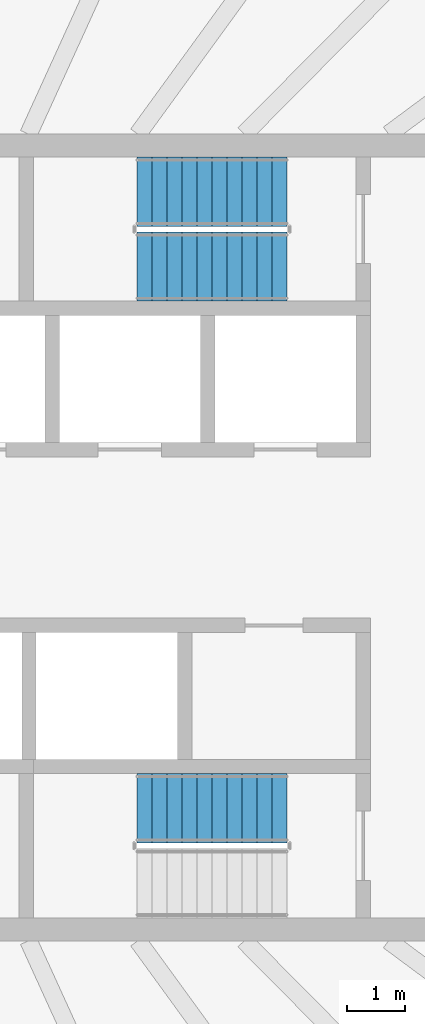
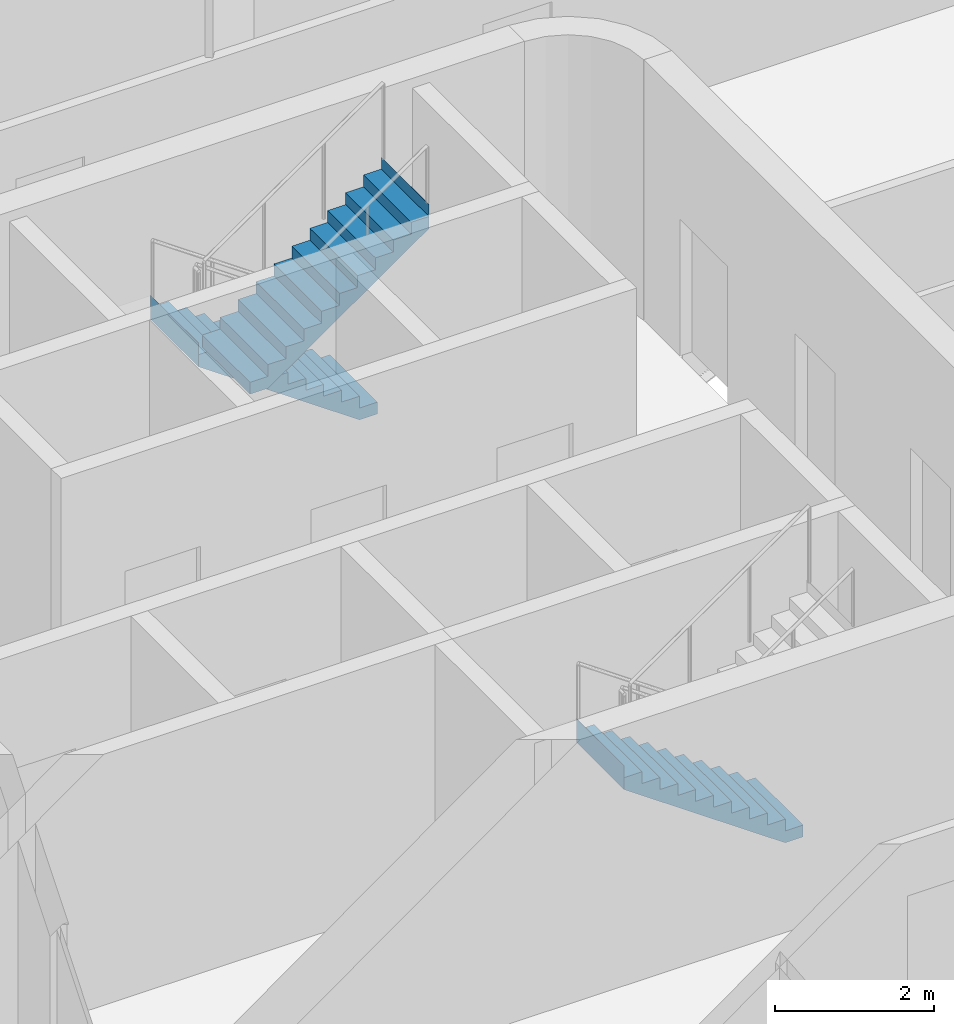
# One storey, part 17 of 22: 3 stair flights, 2 elements without a shape of their own.
"""IFC4 building model written with IfcOpenShell, lengths in metres."""

import ifcopenshell
import ifcopenshell.guid

model = None  # the IFC model being written
_history = None  # IfcOwnerHistory: only IFC2X3 demands one
_inside = {}  # id of a spatial element -> (the spatial element, [elements in it])
_under = {}  # id of a project, library or spatial element -> (it, [spatial elements below it])
_declared = {}  # id of a project -> (the project, [libraries it declares])
_typed = {}  # id of a type object -> (the type object, [elements of that type])
_made_of = {}  # id of a material, layer set ... -> (it, [elements and type objects made of it])


def new_model(schema):
    """Start an empty IFC model of exactly this schema.

    Asked for "IFC4X3", IfcOpenShell would pick the latest addendum, in which some entities
    have other attributes; the version numbers below select the first issue.
    IFC2X3 requires an IfcOwnerHistory on every rooted entity: one is made here for all.
    """
    global model, _history
    if schema == "IFC4X3":
        model = ifcopenshell.file(schema_version=(4, 3, 0, 0))
    else:
        model = ifcopenshell.file(schema=schema)
    _inside.clear()
    _under.clear()
    _declared.clear()
    _typed.clear()
    _made_of.clear()
    _history = None
    if model.schema == "IFC2X3":
        org = make("IfcOrganization", Name="unknown")
        user = make(
            "IfcPersonAndOrganization",
            ThePerson=make("IfcPerson", FamilyName="unknown"),
            TheOrganization=org,
        )
        app = make(
            "IfcApplication",
            ApplicationDeveloper=org,
            Version="unknown",
            ApplicationFullName="unknown",
            ApplicationIdentifier="unknown",
        )
        _history = make(
            "IfcOwnerHistory",
            OwningUser=user,
            OwningApplication=app,
            ChangeAction="ADDED",
            CreationDate=0,
        )
    return model


def make(cls, **values):
    """One entity of the class cls with the attributes given. An attribute that is None is left unset."""
    return model.create_entity(
        cls, **{name: value for name, value in values.items() if value is not None}
    )


def rooted(cls, **values):
    """An entity with a GlobalId (a new one), such as an element, a storey or a relation."""
    return make(cls, GlobalId=ifcopenshell.guid.new(), OwnerHistory=_history, **values)


def si_unit(unit_type, name, prefix=None):
    """IfcSIUnit, for example si_unit("LENGTHUNIT", "METRE", prefix="MILLI")."""
    return make("IfcSIUnit", UnitType=unit_type, Prefix=prefix, Name=name)


def assignment(units):
    """IfcUnitAssignment: the units of a project."""
    return None if units is None else make("IfcUnitAssignment", Units=units)


def point(xyz):
    """IfcCartesianPoint."""
    return None if xyz is None else make("IfcCartesianPoint", Coordinates=xyz)


def direction(xyz):
    """IfcDirection."""
    return None if xyz is None else make("IfcDirection", DirectionRatios=xyz)


def frame(location, z_axis=None, x_axis=None):
    """IfcAxis2Placement3D, a coordinate frame: its origin and axes. An axis left out is left unset."""
    return make(
        "IfcAxis2Placement3D",
        Location=point(location),
        Axis=direction(z_axis),
        RefDirection=direction(x_axis),
    )


def origin():
    """The frame at (0, 0, 0) with its axes left unset."""
    return frame((0.0, 0.0, 0.0))


def place(relative_to, where):
    """IfcLocalPlacement: puts the frame where relative to a parent placement (None: the world)."""
    return make(
        "IfcLocalPlacement", PlacementRelTo=relative_to, RelativePlacement=where
    )


def context(
    kind, dimensions, precision=None, world=None, true_north=None, identifier=None
):
    """IfcGeometricRepresentationContext, for example the 3D "Model" context."""
    return make(
        "IfcGeometricRepresentationContext",
        ContextIdentifier=identifier,
        ContextType=kind,
        CoordinateSpaceDimension=dimensions,
        Precision=precision,
        WorldCoordinateSystem=world,
        TrueNorth=true_north,
    )


def subcontext(parent, identifier, kind, view, scale=None):
    """IfcGeometricRepresentationSubContext, for example "Body" below "Model"."""
    return make(
        "IfcGeometricRepresentationSubContext",
        ContextIdentifier=identifier,
        ContextType=kind,
        ParentContext=parent,
        TargetScale=scale,
        TargetView=view,
    )


def project(units=None, contexts=None):
    """IfcProject with its units and contexts."""
    return rooted(
        "IfcProject",
        Name="project",
        RepresentationContexts=contexts,
        UnitsInContext=assignment(units),
    )


def spatial(cls, under=None, at=None, **own):
    """A site, building, storey or space (cls), placed at a placement, below another one or the project."""
    s = rooted(cls, ObjectPlacement=at, **own)
    if under is not None:
        _under.setdefault(under.id(), (under, []))[1].append(s)
    return s


def point_list(points):
    """IfcCartesianPointList2D or 3D."""
    cls = (
        "IfcCartesianPointList2D" if len(points[0]) == 2 else "IfcCartesianPointList3D"
    )
    return make(cls, CoordList=points)


def triangles(points, corners, closed=None, point_numbers=None):
    """IfcTriangulatedFaceSet: each triangle names its three corners, points numbered from 1."""
    return make(
        "IfcTriangulatedFaceSet",
        Coordinates=point_list(points),
        Closed=closed,
        CoordIndex=corners,
        PnIndex=point_numbers,
    )


def shape(context_of_items, identifier, shape_type, items):
    """IfcShapeRepresentation: the items that make up one representation, for example the "Body"."""
    return make(
        "IfcShapeRepresentation",
        ContextOfItems=context_of_items,
        RepresentationIdentifier=identifier,
        RepresentationType=shape_type,
        Items=items,
    )


def material(Name=None, Category=None):
    """IfcMaterial."""
    return make("IfcMaterial", Name=Name, Category=Category)


def made_of(thing, what):
    """Note that an element or type object is made of a material, layer set ...; save() writes the relation."""
    if what is not None:
        _made_of.setdefault(what.id(), (what, []))[1].append(thing)
    return thing


def type_object(cls, material=None, **own):
    """A type object (cls), such as IfcWallType, which elements share."""
    return made_of(rooted(cls, **own), material)


def element(
    cls,
    number,
    at=None,
    inside=None,
    cuts=None,
    type_object=None,
    material=None,
    context=None,
    identifier="Body",
    shape_type=None,
    held_by="IfcProductDefinitionShape",
    body=None,
    shapes=None,
    **own,
):
    """One element of the class cls, such as IfcWall. Its Tag is "e" and its number.

    at: its placement. inside: the storey or other place that contains it. cuts: it is an
    opening in that element (IfcRelVoidsElement). A single representation is given by context,
    identifier, shape_type and body (its items); several are given by shapes. held_by: the class
    of the entity that holds the representations. save() writes the other relations.
    """
    e = rooted(cls, Tag="e%d" % number, ObjectPlacement=at, **own)
    if body is not None:
        shapes = [shape(context, identifier, shape_type, body)]
    if shapes is not None:
        e.Representation = make(held_by, Representations=shapes)
    if inside is not None:
        _inside.setdefault(inside.id(), (inside, []))[1].append(e)
    if cuts is not None:
        rooted(
            "IfcRelVoidsElement", RelatingBuildingElement=cuts, RelatedOpeningElement=e
        )
    if type_object is not None:
        _typed.setdefault(type_object.id(), (type_object, []))[1].append(e)
    return made_of(e, material)


def aggregate(whole, parts):
    """IfcRelAggregates: a whole, such as a stair, and the parts it consists of."""
    return rooted("IfcRelAggregates", RelatingObject=whole, RelatedObjects=parts)


def save(model, path):
    """Write the relations noted so far, then the file.

    IfcRelAggregates (storeys below a building ...), IfcRelContainedInSpatialStructure (elements
    in a storey), IfcRelDefinesByType, IfcRelAssociatesMaterial and IfcRelDeclares: one each for
    every whole, place, type object, material and project.
    """
    for whole, parts in _under.values():
        aggregate(whole, parts)
    for where, things in _inside.values():
        rooted(
            "IfcRelContainedInSpatialStructure",
            RelatedElements=things,
            RelatingStructure=where,
        )
    for kind, things in _typed.values():
        rooted("IfcRelDefinesByType", RelatedObjects=things, RelatingType=kind)
    for what, things in _made_of.values():
        rooted("IfcRelAssociatesMaterial", RelatedObjects=things, RelatingMaterial=what)
    for by, libraries in _declared.values():
        rooted("IfcRelDeclares", RelatingContext=by, RelatedDefinitions=libraries)
    model.write(path)


model = new_model("IFC4")

# Units and contexts
model_context = context("Model", 3, precision=1e-05, world=origin(), true_north=direction((0.0, 1.0)))
body_context = subcontext(model_context, "Body", "Model", "MODEL_VIEW")
ifc_project = project(units=[si_unit("LENGTHUNIT", "METRE"), si_unit("AREAUNIT", "SQUARE_METRE"), si_unit("VOLUMEUNIT", "CUBIC_METRE"), si_unit("PLANEANGLEUNIT", "RADIAN"), si_unit("MASSUNIT", "GRAM", prefix="KILO")], contexts=[model_context])

# Site, building, storey
site_placement = place(None, origin())
site = spatial("IfcSite", under=ifc_project, at=site_placement, CompositionType="ELEMENT")
building_placement = place(site_placement, origin())
building = spatial("IfcBuilding", under=site, at=building_placement, Name="Sahrelin Media Tower", CompositionType="ELEMENT")
storey_placement = place(building_placement, frame((0.0, 0.0, 233.60009765625)))
storey = spatial("IfcBuildingStorey", under=building, at=storey_placement, Name="L50", CompositionType="ELEMENT", Elevation=233.60009765625)

# Stair, stair flights
ifc_material = material(Name="Concrete C40/50", Category="concrete")
stair_type = type_object("IfcStairType", Name="Exit stair 1200", PredefinedType="HALF_TURN_STAIR", material=ifc_material)
placement = place(storey_placement, origin())
stair_1 = element("IfcStair", 1, at=placement, inside=storey, type_object=stair_type, Name="L50 Exit stair ST3", PredefinedType="HALF_TURN_STAIR")
stair_flight_type = type_object("IfcStairFlightType", Name="Stair flight 1200", PredefinedType="STRAIGHT", material=ifc_material)
stair_flight_1_placement = place(storey_placement, frame((7.675048828125, 6.0, 0.0), z_axis=(0.0, 0.0, 1.0), x_axis=(-1.0, 0.0, 0.0)))
stair_flight_1 = element("IfcStairFlight", 2, at=stair_flight_1_placement, type_object=stair_flight_type, Name="ST3 flight 1", NumberOfRisers=11, NumberOfTreads=10, PredefinedType="STRAIGHT", RiserHeight=0.181818182, TreadLength=0.26, context=body_context, shape_type="Tessellation", body=[
    triangles([(0.261474609375, 0.60009765625, 0.0), (0.261474609375, 0.300048828125, 0.0), (0.261474609375, 0.0, 0.0), (0.261474609375, -0.300048828125, 0.0), (0.261474609375, -0.60009765625, 0.0), (2.60009765625, 0.60009765625, 1.63525390625), (2.60009765625, 0.300048828125, 1.63525390625), (2.60009765625, 0.0, 1.63525390625), (2.60009765625, -0.300048828125, 1.63525390625), (2.60009765625, -0.60009765625, 1.63525390625), (2.60009765625, 0.60009765625, 2.0), (2.60009765625, 0.300048828125, 2.0), (2.60009765625, 0.0, 2.0), (2.60009765625, -0.300048828125, 2.0), (2.60009765625, -0.60009765625, 2.0), (2.597900390625, 0.60009765625, 2.0), (2.597900390625, 0.300048828125, 2.0), (2.597900390625, 0.0, 2.0), (2.597900390625, -0.300048828125, 2.0), (2.597900390625, -0.60009765625, 2.0), (2.597900390625, 0.60009765625, 1.818115234375), (2.597900390625, 0.300048828125, 1.818115234375), (2.597900390625, 0.0, 1.818115234375), (2.597900390625, -0.300048828125, 1.818115234375), (2.597900390625, -0.60009765625, 1.818115234375), (2.340087890625, 0.60009765625, 1.818115234375), (2.340087890625, 0.300048828125, 1.818115234375), (2.340087890625, 0.0, 1.818115234375), (2.340087890625, -0.300048828125, 1.818115234375), (2.340087890625, -0.60009765625, 1.818115234375), (2.340087890625, 0.60009765625, 1.636474609375), (2.340087890625, 0.300048828125, 1.636474609375), (2.340087890625, 0.0, 1.636474609375), (2.340087890625, -0.300048828125, 1.636474609375), (2.340087890625, -0.60009765625, 1.636474609375), (2.080078125, 0.60009765625, 1.636474609375), (2.080078125, 0.300048828125, 1.636474609375), (2.080078125, 0.0, 1.636474609375), (2.080078125, -0.300048828125, 1.636474609375), (2.080078125, -0.60009765625, 1.636474609375), (2.080078125, 0.60009765625, 1.45458984375), (2.080078125, 0.300048828125, 1.45458984375), (2.080078125, 0.0, 1.45458984375), (2.080078125, -0.300048828125, 1.45458984375), (2.080078125, -0.60009765625, 1.45458984375), (1.820068359375, 0.60009765625, 1.45458984375), (1.820068359375, 0.300048828125, 1.45458984375), (1.820068359375, 0.0, 1.45458984375), (1.820068359375, -0.300048828125, 1.45458984375), (1.820068359375, -0.60009765625, 1.45458984375), (1.820068359375, 0.60009765625, 1.272705078125), (1.820068359375, 0.300048828125, 1.272705078125), (1.820068359375, 0.0, 1.272705078125), (1.820068359375, -0.300048828125, 1.272705078125), (1.820068359375, -0.60009765625, 1.272705078125), (1.56005859375, 0.60009765625, 1.272705078125), (1.56005859375, 0.300048828125, 1.272705078125), (1.56005859375, 0.0, 1.272705078125), (1.56005859375, -0.300048828125, 1.272705078125), (1.56005859375, -0.60009765625, 1.272705078125), (1.56005859375, 0.60009765625, 1.0908203125), (1.56005859375, 0.300048828125, 1.0908203125), (1.56005859375, 0.0, 1.0908203125), (1.56005859375, -0.300048828125, 1.0908203125), (1.56005859375, -0.60009765625, 1.0908203125), (1.300048828125, 0.60009765625, 1.0908203125), (1.300048828125, 0.300048828125, 1.0908203125), (1.300048828125, 0.0, 1.0908203125), (1.300048828125, -0.300048828125, 1.0908203125), (1.300048828125, -0.60009765625, 1.0908203125), (1.300048828125, 0.60009765625, 0.9091796875), (1.300048828125, 0.300048828125, 0.9091796875), (1.300048828125, 0.0, 0.9091796875), (1.300048828125, -0.300048828125, 0.9091796875), (1.300048828125, -0.60009765625, 0.9091796875), (1.0400390625, 0.60009765625, 0.9091796875), (1.0400390625, 0.300048828125, 0.9091796875), (1.0400390625, 0.0, 0.9091796875), (1.0400390625, -0.300048828125, 0.9091796875), (1.0400390625, -0.60009765625, 0.9091796875), (1.0400390625, 0.60009765625, 0.727294921875), (1.0400390625, 0.300048828125, 0.727294921875), (1.0400390625, 0.0, 0.727294921875), (1.0400390625, -0.300048828125, 0.727294921875), (1.0400390625, -0.60009765625, 0.727294921875), (0.780029296875, 0.60009765625, 0.727294921875), (0.780029296875, 0.300048828125, 0.727294921875), (0.780029296875, 0.0, 0.727294921875), (0.780029296875, -0.300048828125, 0.727294921875), (0.780029296875, -0.60009765625, 0.727294921875), (0.780029296875, 0.60009765625, 0.54541015625), (0.780029296875, 0.300048828125, 0.54541015625), (0.780029296875, 0.0, 0.54541015625), (0.780029296875, -0.300048828125, 0.54541015625), (0.780029296875, -0.60009765625, 0.54541015625), (0.52001953125, 0.60009765625, 0.54541015625), (0.52001953125, 0.300048828125, 0.54541015625), (0.52001953125, 0.0, 0.54541015625), (0.52001953125, -0.300048828125, 0.54541015625), (0.52001953125, -0.60009765625, 0.54541015625), (0.52001953125, 0.60009765625, 0.363525390625), (0.52001953125, 0.300048828125, 0.363525390625), (0.52001953125, 0.0, 0.363525390625), (0.52001953125, -0.300048828125, 0.363525390625), (0.52001953125, -0.60009765625, 0.363525390625), (0.260009765625, 0.60009765625, 0.363525390625), (0.260009765625, 0.300048828125, 0.363525390625), (0.260009765625, 0.0, 0.363525390625), (0.260009765625, -0.300048828125, 0.363525390625), (0.260009765625, -0.60009765625, 0.363525390625), (0.260009765625, 0.60009765625, 0.181884765625), (0.260009765625, 0.300048828125, 0.181884765625), (0.260009765625, 0.0, 0.181884765625), (0.260009765625, -0.300048828125, 0.181884765625), (0.260009765625, -0.60009765625, 0.181884765625), (0.0, 0.60009765625, 0.181884765625), (0.0, 0.300048828125, 0.181884765625), (0.0, 0.0, 0.181884765625), (0.0, -0.300048828125, 0.181884765625), (0.0, -0.60009765625, 0.181884765625), (0.0, 0.60009765625, 0.0), (0.0, 0.300048828125, 0.0), (0.0, 0.0, 0.0), (0.0, -0.300048828125, 0.0), (0.0, -0.60009765625, 0.0)], [[1, 6, 7], [1, 7, 2], [2, 7, 8], [2, 8, 3], [3, 8, 9], [3, 9, 4], [4, 9, 10], [4, 10, 5], [6, 11, 12], [6, 12, 7], [7, 12, 13], [7, 13, 8], [8, 13, 14], [8, 14, 9], [9, 14, 15], [9, 15, 10], [11, 16, 17], [11, 17, 12], [12, 17, 18], [12, 18, 13], [13, 18, 19], [13, 19, 14], [14, 19, 20], [14, 20, 15], [16, 21, 22], [16, 22, 17], [17, 22, 23], [17, 23, 18], [18, 23, 24], [18, 24, 19], [19, 24, 25], [19, 25, 20], [21, 26, 27], [21, 27, 22], [22, 27, 28], [22, 28, 23], [23, 28, 29], [23, 29, 24], [24, 29, 30], [24, 30, 25], [26, 31, 32], [26, 32, 27], [27, 32, 33], [27, 33, 28], [28, 33, 34], [28, 34, 29], [29, 34, 35], [29, 35, 30], [31, 36, 37], [31, 37, 32], [32, 37, 38], [32, 38, 33], [33, 38, 39], [33, 39, 34], [34, 39, 40], [34, 40, 35], [36, 41, 42], [36, 42, 37], [37, 42, 43], [37, 43, 38], [38, 43, 44], [38, 44, 39], [39, 44, 45], [39, 45, 40], [41, 46, 47], [41, 47, 42], [42, 47, 48], [42, 48, 43], [43, 48, 49], [43, 49, 44], [44, 49, 50], [44, 50, 45], [46, 51, 52], [46, 52, 47], [47, 52, 53], [47, 53, 48], [48, 53, 54], [48, 54, 49], [49, 54, 55], [49, 55, 50], [51, 56, 57], [51, 57, 52], [52, 57, 58], [52, 58, 53], [53, 58, 59], [53, 59, 54], [54, 59, 60], [54, 60, 55], [56, 61, 62], [56, 62, 57], [57, 62, 63], [57, 63, 58], [58, 63, 64], [58, 64, 59], [59, 64, 65], [59, 65, 60], [61, 66, 67], [61, 67, 62], [62, 67, 68], [62, 68, 63], [63, 68, 69], [63, 69, 64], [64, 69, 70], [64, 70, 65], [66, 71, 72], [66, 72, 67], [67, 72, 73], [67, 73, 68], [68, 73, 74], [68, 74, 69], [69, 74, 75], [69, 75, 70], [71, 76, 77], [71, 77, 72], [72, 77, 78], [72, 78, 73], [73, 78, 79], [73, 79, 74], [74, 79, 80], [74, 80, 75], [76, 81, 82], [76, 82, 77], [77, 82, 83], [77, 83, 78], [78, 83, 84], [78, 84, 79], [79, 84, 85], [79, 85, 80], [81, 86, 87], [81, 87, 82], [82, 87, 88], [82, 88, 83], [83, 88, 89], [83, 89, 84], [84, 89, 90], [84, 90, 85], [86, 91, 92], [86, 92, 87], [87, 92, 93], [87, 93, 88], [88, 93, 94], [88, 94, 89], [89, 94, 95], [89, 95, 90], [91, 96, 97], [91, 97, 92], [92, 97, 98], [92, 98, 93], [93, 98, 99], [93, 99, 94], [94, 99, 100], [94, 100, 95], [96, 101, 102], [96, 102, 97], [97, 102, 103], [97, 103, 98], [98, 103, 104], [98, 104, 99], [99, 104, 105], [99, 105, 100], [101, 106, 107], [101, 107, 102], [102, 107, 108], [102, 108, 103], [103, 108, 109], [103, 109, 104], [104, 109, 110], [104, 110, 105], [106, 111, 112], [106, 112, 107], [107, 112, 113], [107, 113, 108], [108, 113, 114], [108, 114, 109], [109, 114, 115], [109, 115, 110], [111, 116, 117], [111, 117, 112], [112, 117, 118], [112, 118, 113], [113, 118, 119], [113, 119, 114], [114, 119, 120], [114, 120, 115], [116, 121, 122], [116, 122, 117], [117, 122, 123], [117, 123, 118], [118, 123, 124], [118, 124, 119], [119, 124, 125], [119, 125, 120], [121, 1, 2], [121, 2, 122], [122, 2, 3], [122, 3, 123], [123, 3, 4], [123, 4, 124], [124, 4, 5], [124, 5, 125], [115, 120, 125], [111, 121, 116], [115, 105, 110], [111, 106, 101], [105, 95, 100], [101, 96, 91], [95, 85, 90], [91, 86, 81], [85, 75, 80], [81, 76, 71], [75, 65, 70], [71, 66, 61], [65, 55, 60], [61, 56, 51], [55, 45, 50], [51, 46, 41], [45, 35, 40], [41, 36, 31], [35, 25, 30], [31, 26, 21], [25, 15, 20], [21, 16, 11], [125, 5, 115], [121, 111, 1], [25, 10, 15], [21, 11, 6], [105, 115, 5], [101, 1, 111], [35, 10, 25], [31, 21, 6], [95, 105, 5], [91, 1, 101], [45, 10, 35], [41, 31, 6], [85, 95, 5], [81, 1, 91], [55, 10, 45], [51, 41, 6], [75, 85, 5], [71, 1, 81], [65, 10, 55], [61, 51, 6], [5, 10, 75], [1, 71, 6], [75, 10, 65], [71, 61, 6]], closed=True),
])
stair_flight_2_placement = place(storey_placement, frame((5.074951171875, 4.699951171875, 2.0), z_axis=(0.0, 0.0, 1.0), x_axis=(1.0, 0.0, 0.0)))
stair_flight_2 = element("IfcStairFlight", 3, at=stair_flight_2_placement, type_object=stair_flight_type, Name="ST3 flight 2", NumberOfRisers=11, NumberOfTreads=10, PredefinedType="STRAIGHT", RiserHeight=0.181818182, TreadLength=0.26, context=body_context, shape_type="Tessellation", body=[
    triangles([(0.261474609375, 0.60009765625, 0.0), (0.261474609375, 0.300048828125, 0.0), (0.261474609375, 0.0, 0.0), (0.261474609375, -0.300048828125, 0.0), (0.261474609375, -0.60009765625, 0.0), (2.60009765625, 0.60009765625, 1.63525390625), (2.60009765625, 0.300048828125, 1.63525390625), (2.60009765625, 0.0, 1.63525390625), (2.60009765625, -0.300048828125, 1.63525390625), (2.60009765625, -0.60009765625, 1.63525390625), (2.60009765625, 0.60009765625, 2.0), (2.60009765625, 0.300048828125, 2.0), (2.60009765625, 0.0, 2.0), (2.60009765625, -0.300048828125, 2.0), (2.60009765625, -0.60009765625, 2.0), (2.597900390625, 0.60009765625, 2.0), (2.597900390625, 0.300048828125, 2.0), (2.597900390625, 0.0, 2.0), (2.597900390625, -0.300048828125, 2.0), (2.597900390625, -0.60009765625, 2.0), (2.597900390625, 0.60009765625, 1.818115234375), (2.597900390625, 0.300048828125, 1.818115234375), (2.597900390625, 0.0, 1.818115234375), (2.597900390625, -0.300048828125, 1.818115234375), (2.597900390625, -0.60009765625, 1.818115234375), (2.340087890625, 0.60009765625, 1.818115234375), (2.340087890625, 0.300048828125, 1.818115234375), (2.340087890625, 0.0, 1.818115234375), (2.340087890625, -0.300048828125, 1.818115234375), (2.340087890625, -0.60009765625, 1.818115234375), (2.340087890625, 0.60009765625, 1.636474609375), (2.340087890625, 0.300048828125, 1.636474609375), (2.340087890625, 0.0, 1.636474609375), (2.340087890625, -0.300048828125, 1.636474609375), (2.340087890625, -0.60009765625, 1.636474609375), (2.080078125, 0.60009765625, 1.636474609375), (2.080078125, 0.300048828125, 1.636474609375), (2.080078125, 0.0, 1.636474609375), (2.080078125, -0.300048828125, 1.636474609375), (2.080078125, -0.60009765625, 1.636474609375), (2.080078125, 0.60009765625, 1.45458984375), (2.080078125, 0.300048828125, 1.45458984375), (2.080078125, 0.0, 1.45458984375), (2.080078125, -0.300048828125, 1.45458984375), (2.080078125, -0.60009765625, 1.45458984375), (1.820068359375, 0.60009765625, 1.45458984375), (1.820068359375, 0.300048828125, 1.45458984375), (1.820068359375, 0.0, 1.45458984375), (1.820068359375, -0.300048828125, 1.45458984375), (1.820068359375, -0.60009765625, 1.45458984375), (1.820068359375, 0.60009765625, 1.272705078125), (1.820068359375, 0.300048828125, 1.272705078125), (1.820068359375, 0.0, 1.272705078125), (1.820068359375, -0.300048828125, 1.272705078125), (1.820068359375, -0.60009765625, 1.272705078125), (1.56005859375, 0.60009765625, 1.272705078125), (1.56005859375, 0.300048828125, 1.272705078125), (1.56005859375, 0.0, 1.272705078125), (1.56005859375, -0.300048828125, 1.272705078125), (1.56005859375, -0.60009765625, 1.272705078125), (1.56005859375, 0.60009765625, 1.0908203125), (1.56005859375, 0.300048828125, 1.0908203125), (1.56005859375, 0.0, 1.0908203125), (1.56005859375, -0.300048828125, 1.0908203125), (1.56005859375, -0.60009765625, 1.0908203125), (1.300048828125, 0.60009765625, 1.0908203125), (1.300048828125, 0.300048828125, 1.0908203125), (1.300048828125, 0.0, 1.0908203125), (1.300048828125, -0.300048828125, 1.0908203125), (1.300048828125, -0.60009765625, 1.0908203125), (1.300048828125, 0.60009765625, 0.9091796875), (1.300048828125, 0.300048828125, 0.9091796875), (1.300048828125, 0.0, 0.9091796875), (1.300048828125, -0.300048828125, 0.9091796875), (1.300048828125, -0.60009765625, 0.9091796875), (1.0400390625, 0.60009765625, 0.9091796875), (1.0400390625, 0.300048828125, 0.9091796875), (1.0400390625, 0.0, 0.9091796875), (1.0400390625, -0.300048828125, 0.9091796875), (1.0400390625, -0.60009765625, 0.9091796875), (1.0400390625, 0.60009765625, 0.727294921875), (1.0400390625, 0.300048828125, 0.727294921875), (1.0400390625, 0.0, 0.727294921875), (1.0400390625, -0.300048828125, 0.727294921875), (1.0400390625, -0.60009765625, 0.727294921875), (0.780029296875, 0.60009765625, 0.727294921875), (0.780029296875, 0.300048828125, 0.727294921875), (0.780029296875, 0.0, 0.727294921875), (0.780029296875, -0.300048828125, 0.727294921875), (0.780029296875, -0.60009765625, 0.727294921875), (0.780029296875, 0.60009765625, 0.54541015625), (0.780029296875, 0.300048828125, 0.54541015625), (0.780029296875, 0.0, 0.54541015625), (0.780029296875, -0.300048828125, 0.54541015625), (0.780029296875, -0.60009765625, 0.54541015625), (0.52001953125, 0.60009765625, 0.54541015625), (0.52001953125, 0.300048828125, 0.54541015625), (0.52001953125, 0.0, 0.54541015625), (0.52001953125, -0.300048828125, 0.54541015625), (0.52001953125, -0.60009765625, 0.54541015625), (0.52001953125, 0.60009765625, 0.363525390625), (0.52001953125, 0.300048828125, 0.363525390625), (0.52001953125, 0.0, 0.363525390625), (0.52001953125, -0.300048828125, 0.363525390625), (0.52001953125, -0.60009765625, 0.363525390625), (0.260009765625, 0.60009765625, 0.363525390625), (0.260009765625, 0.300048828125, 0.363525390625), (0.260009765625, 0.0, 0.363525390625), (0.260009765625, -0.300048828125, 0.363525390625), (0.260009765625, -0.60009765625, 0.363525390625), (0.260009765625, 0.60009765625, 0.181884765625), (0.260009765625, 0.300048828125, 0.181884765625), (0.260009765625, 0.0, 0.181884765625), (0.260009765625, -0.300048828125, 0.181884765625), (0.260009765625, -0.60009765625, 0.181884765625), (0.0, 0.60009765625, 0.181884765625), (0.0, 0.300048828125, 0.181884765625), (0.0, 0.0, 0.181884765625), (0.0, -0.300048828125, 0.181884765625), (0.0, -0.60009765625, 0.181884765625), (0.0, 0.60009765625, 0.0), (0.0, 0.300048828125, 0.0), (0.0, 0.0, 0.0), (0.0, -0.300048828125, 0.0), (0.0, -0.60009765625, 0.0)], [[1, 6, 7], [1, 7, 2], [2, 7, 8], [2, 8, 3], [3, 8, 9], [3, 9, 4], [4, 9, 10], [4, 10, 5], [6, 11, 12], [6, 12, 7], [7, 12, 13], [7, 13, 8], [8, 13, 14], [8, 14, 9], [9, 14, 15], [9, 15, 10], [11, 16, 17], [11, 17, 12], [12, 17, 18], [12, 18, 13], [13, 18, 19], [13, 19, 14], [14, 19, 20], [14, 20, 15], [16, 21, 22], [16, 22, 17], [17, 22, 23], [17, 23, 18], [18, 23, 24], [18, 24, 19], [19, 24, 25], [19, 25, 20], [21, 26, 27], [21, 27, 22], [22, 27, 28], [22, 28, 23], [23, 28, 29], [23, 29, 24], [24, 29, 30], [24, 30, 25], [26, 31, 32], [26, 32, 27], [27, 32, 33], [27, 33, 28], [28, 33, 34], [28, 34, 29], [29, 34, 35], [29, 35, 30], [31, 36, 37], [31, 37, 32], [32, 37, 38], [32, 38, 33], [33, 38, 39], [33, 39, 34], [34, 39, 40], [34, 40, 35], [36, 41, 42], [36, 42, 37], [37, 42, 43], [37, 43, 38], [38, 43, 44], [38, 44, 39], [39, 44, 45], [39, 45, 40], [41, 46, 47], [41, 47, 42], [42, 47, 48], [42, 48, 43], [43, 48, 49], [43, 49, 44], [44, 49, 50], [44, 50, 45], [46, 51, 52], [46, 52, 47], [47, 52, 53], [47, 53, 48], [48, 53, 54], [48, 54, 49], [49, 54, 55], [49, 55, 50], [51, 56, 57], [51, 57, 52], [52, 57, 58], [52, 58, 53], [53, 58, 59], [53, 59, 54], [54, 59, 60], [54, 60, 55], [56, 61, 62], [56, 62, 57], [57, 62, 63], [57, 63, 58], [58, 63, 64], [58, 64, 59], [59, 64, 65], [59, 65, 60], [61, 66, 67], [61, 67, 62], [62, 67, 68], [62, 68, 63], [63, 68, 69], [63, 69, 64], [64, 69, 70], [64, 70, 65], [66, 71, 72], [66, 72, 67], [67, 72, 73], [67, 73, 68], [68, 73, 74], [68, 74, 69], [69, 74, 75], [69, 75, 70], [71, 76, 77], [71, 77, 72], [72, 77, 78], [72, 78, 73], [73, 78, 79], [73, 79, 74], [74, 79, 80], [74, 80, 75], [76, 81, 82], [76, 82, 77], [77, 82, 83], [77, 83, 78], [78, 83, 84], [78, 84, 79], [79, 84, 85], [79, 85, 80], [81, 86, 87], [81, 87, 82], [82, 87, 88], [82, 88, 83], [83, 88, 89], [83, 89, 84], [84, 89, 90], [84, 90, 85], [86, 91, 92], [86, 92, 87], [87, 92, 93], [87, 93, 88], [88, 93, 94], [88, 94, 89], [89, 94, 95], [89, 95, 90], [91, 96, 97], [91, 97, 92], [92, 97, 98], [92, 98, 93], [93, 98, 99], [93, 99, 94], [94, 99, 100], [94, 100, 95], [96, 101, 102], [96, 102, 97], [97, 102, 103], [97, 103, 98], [98, 103, 104], [98, 104, 99], [99, 104, 105], [99, 105, 100], [101, 106, 107], [101, 107, 102], [102, 107, 108], [102, 108, 103], [103, 108, 109], [103, 109, 104], [104, 109, 110], [104, 110, 105], [106, 111, 112], [106, 112, 107], [107, 112, 113], [107, 113, 108], [108, 113, 114], [108, 114, 109], [109, 114, 115], [109, 115, 110], [111, 116, 117], [111, 117, 112], [112, 117, 118], [112, 118, 113], [113, 118, 119], [113, 119, 114], [114, 119, 120], [114, 120, 115], [116, 121, 122], [116, 122, 117], [117, 122, 123], [117, 123, 118], [118, 123, 124], [118, 124, 119], [119, 124, 125], [119, 125, 120], [121, 1, 2], [121, 2, 122], [122, 2, 3], [122, 3, 123], [123, 3, 4], [123, 4, 124], [124, 4, 5], [124, 5, 125], [115, 120, 125], [111, 121, 116], [115, 105, 110], [111, 106, 101], [105, 95, 100], [101, 96, 91], [95, 85, 90], [91, 86, 81], [85, 75, 80], [81, 76, 71], [75, 65, 70], [71, 66, 61], [65, 55, 60], [61, 56, 51], [55, 45, 50], [51, 46, 41], [45, 35, 40], [41, 36, 31], [35, 25, 30], [31, 26, 21], [25, 15, 20], [21, 16, 11], [125, 5, 115], [121, 111, 1], [25, 10, 15], [21, 11, 6], [105, 115, 5], [101, 1, 111], [35, 10, 25], [31, 21, 6], [95, 105, 5], [91, 1, 101], [45, 10, 35], [41, 31, 6], [85, 95, 5], [81, 1, 91], [55, 10, 45], [51, 41, 6], [75, 85, 5], [71, 1, 81], [65, 10, 55], [61, 51, 6], [5, 10, 75], [1, 71, 6], [75, 10, 65], [71, 61, 6]], closed=True),
])
aggregate(stair_1, [stair_flight_1, stair_flight_2])

# Stair, stair flight
stair_2 = element("IfcStair", 4, at=placement, inside=storey, type_object=stair_type, Name="L50 Exit stair ST2", PredefinedType="HALF_TURN_STAIR")
stair_flight_3_placement = place(storey_placement, frame((7.675048828125, -4.699951171875, 0.0), z_axis=(0.0, 0.0, 1.0), x_axis=(-1.0, 0.0, 0.0)))
stair_flight_3 = element("IfcStairFlight", 5, at=stair_flight_3_placement, type_object=stair_flight_type, Name="ST2 flight 1", NumberOfRisers=11, NumberOfTreads=10, PredefinedType="STRAIGHT", RiserHeight=0.181818182, TreadLength=0.26, context=body_context, shape_type="Tessellation", body=[
    triangles([(0.261474609375, 0.60009765625, 0.0), (0.261474609375, 0.300048828125, 0.0), (0.261474609375, 0.0, 0.0), (0.261474609375, -0.300048828125, 0.0), (0.261474609375, -0.60009765625, 0.0), (2.60009765625, 0.60009765625, 1.63525390625), (2.60009765625, 0.300048828125, 1.63525390625), (2.60009765625, 0.0, 1.63525390625), (2.60009765625, -0.300048828125, 1.63525390625), (2.60009765625, -0.60009765625, 1.63525390625), (2.60009765625, 0.60009765625, 2.0), (2.60009765625, 0.300048828125, 2.0), (2.60009765625, 0.0, 2.0), (2.60009765625, -0.300048828125, 2.0), (2.60009765625, -0.60009765625, 2.0), (2.597900390625, 0.60009765625, 2.0), (2.597900390625, 0.300048828125, 2.0), (2.597900390625, 0.0, 2.0), (2.597900390625, -0.300048828125, 2.0), (2.597900390625, -0.60009765625, 2.0), (2.597900390625, 0.60009765625, 1.818115234375), (2.597900390625, 0.300048828125, 1.818115234375), (2.597900390625, 0.0, 1.818115234375), (2.597900390625, -0.300048828125, 1.818115234375), (2.597900390625, -0.60009765625, 1.818115234375), (2.340087890625, 0.60009765625, 1.818115234375), (2.340087890625, 0.300048828125, 1.818115234375), (2.340087890625, 0.0, 1.818115234375), (2.340087890625, -0.300048828125, 1.818115234375), (2.340087890625, -0.60009765625, 1.818115234375), (2.340087890625, 0.60009765625, 1.636474609375), (2.340087890625, 0.300048828125, 1.636474609375), (2.340087890625, 0.0, 1.636474609375), (2.340087890625, -0.300048828125, 1.636474609375), (2.340087890625, -0.60009765625, 1.636474609375), (2.080078125, 0.60009765625, 1.636474609375), (2.080078125, 0.300048828125, 1.636474609375), (2.080078125, 0.0, 1.636474609375), (2.080078125, -0.300048828125, 1.636474609375), (2.080078125, -0.60009765625, 1.636474609375), (2.080078125, 0.60009765625, 1.45458984375), (2.080078125, 0.300048828125, 1.45458984375), (2.080078125, 0.0, 1.45458984375), (2.080078125, -0.300048828125, 1.45458984375), (2.080078125, -0.60009765625, 1.45458984375), (1.820068359375, 0.60009765625, 1.45458984375), (1.820068359375, 0.300048828125, 1.45458984375), (1.820068359375, 0.0, 1.45458984375), (1.820068359375, -0.300048828125, 1.45458984375), (1.820068359375, -0.60009765625, 1.45458984375), (1.820068359375, 0.60009765625, 1.272705078125), (1.820068359375, 0.300048828125, 1.272705078125), (1.820068359375, 0.0, 1.272705078125), (1.820068359375, -0.300048828125, 1.272705078125), (1.820068359375, -0.60009765625, 1.272705078125), (1.56005859375, 0.60009765625, 1.272705078125), (1.56005859375, 0.300048828125, 1.272705078125), (1.56005859375, 0.0, 1.272705078125), (1.56005859375, -0.300048828125, 1.272705078125), (1.56005859375, -0.60009765625, 1.272705078125), (1.56005859375, 0.60009765625, 1.0908203125), (1.56005859375, 0.300048828125, 1.0908203125), (1.56005859375, 0.0, 1.0908203125), (1.56005859375, -0.300048828125, 1.0908203125), (1.56005859375, -0.60009765625, 1.0908203125), (1.300048828125, 0.60009765625, 1.0908203125), (1.300048828125, 0.300048828125, 1.0908203125), (1.300048828125, 0.0, 1.0908203125), (1.300048828125, -0.300048828125, 1.0908203125), (1.300048828125, -0.60009765625, 1.0908203125), (1.300048828125, 0.60009765625, 0.9091796875), (1.300048828125, 0.300048828125, 0.9091796875), (1.300048828125, 0.0, 0.9091796875), (1.300048828125, -0.300048828125, 0.9091796875), (1.300048828125, -0.60009765625, 0.9091796875), (1.0400390625, 0.60009765625, 0.9091796875), (1.0400390625, 0.300048828125, 0.9091796875), (1.0400390625, 0.0, 0.9091796875), (1.0400390625, -0.300048828125, 0.9091796875), (1.0400390625, -0.60009765625, 0.9091796875), (1.0400390625, 0.60009765625, 0.727294921875), (1.0400390625, 0.300048828125, 0.727294921875), (1.0400390625, 0.0, 0.727294921875), (1.0400390625, -0.300048828125, 0.727294921875), (1.0400390625, -0.60009765625, 0.727294921875), (0.780029296875, 0.60009765625, 0.727294921875), (0.780029296875, 0.300048828125, 0.727294921875), (0.780029296875, 0.0, 0.727294921875), (0.780029296875, -0.300048828125, 0.727294921875), (0.780029296875, -0.60009765625, 0.727294921875), (0.780029296875, 0.60009765625, 0.54541015625), (0.780029296875, 0.300048828125, 0.54541015625), (0.780029296875, 0.0, 0.54541015625), (0.780029296875, -0.300048828125, 0.54541015625), (0.780029296875, -0.60009765625, 0.54541015625), (0.52001953125, 0.60009765625, 0.54541015625), (0.52001953125, 0.300048828125, 0.54541015625), (0.52001953125, 0.0, 0.54541015625), (0.52001953125, -0.300048828125, 0.54541015625), (0.52001953125, -0.60009765625, 0.54541015625), (0.52001953125, 0.60009765625, 0.363525390625), (0.52001953125, 0.300048828125, 0.363525390625), (0.52001953125, 0.0, 0.363525390625), (0.52001953125, -0.300048828125, 0.363525390625), (0.52001953125, -0.60009765625, 0.363525390625), (0.260009765625, 0.60009765625, 0.363525390625), (0.260009765625, 0.300048828125, 0.363525390625), (0.260009765625, 0.0, 0.363525390625), (0.260009765625, -0.300048828125, 0.363525390625), (0.260009765625, -0.60009765625, 0.363525390625), (0.260009765625, 0.60009765625, 0.181884765625), (0.260009765625, 0.300048828125, 0.181884765625), (0.260009765625, 0.0, 0.181884765625), (0.260009765625, -0.300048828125, 0.181884765625), (0.260009765625, -0.60009765625, 0.181884765625), (0.0, 0.60009765625, 0.181884765625), (0.0, 0.300048828125, 0.181884765625), (0.0, 0.0, 0.181884765625), (0.0, -0.300048828125, 0.181884765625), (0.0, -0.60009765625, 0.181884765625), (0.0, 0.60009765625, 0.0), (0.0, 0.300048828125, 0.0), (0.0, 0.0, 0.0), (0.0, -0.300048828125, 0.0), (0.0, -0.60009765625, 0.0)], [[1, 6, 7], [1, 7, 2], [2, 7, 8], [2, 8, 3], [3, 8, 9], [3, 9, 4], [4, 9, 10], [4, 10, 5], [6, 11, 12], [6, 12, 7], [7, 12, 13], [7, 13, 8], [8, 13, 14], [8, 14, 9], [9, 14, 15], [9, 15, 10], [11, 16, 17], [11, 17, 12], [12, 17, 18], [12, 18, 13], [13, 18, 19], [13, 19, 14], [14, 19, 20], [14, 20, 15], [16, 21, 22], [16, 22, 17], [17, 22, 23], [17, 23, 18], [18, 23, 24], [18, 24, 19], [19, 24, 25], [19, 25, 20], [21, 26, 27], [21, 27, 22], [22, 27, 28], [22, 28, 23], [23, 28, 29], [23, 29, 24], [24, 29, 30], [24, 30, 25], [26, 31, 32], [26, 32, 27], [27, 32, 33], [27, 33, 28], [28, 33, 34], [28, 34, 29], [29, 34, 35], [29, 35, 30], [31, 36, 37], [31, 37, 32], [32, 37, 38], [32, 38, 33], [33, 38, 39], [33, 39, 34], [34, 39, 40], [34, 40, 35], [36, 41, 42], [36, 42, 37], [37, 42, 43], [37, 43, 38], [38, 43, 44], [38, 44, 39], [39, 44, 45], [39, 45, 40], [41, 46, 47], [41, 47, 42], [42, 47, 48], [42, 48, 43], [43, 48, 49], [43, 49, 44], [44, 49, 50], [44, 50, 45], [46, 51, 52], [46, 52, 47], [47, 52, 53], [47, 53, 48], [48, 53, 54], [48, 54, 49], [49, 54, 55], [49, 55, 50], [51, 56, 57], [51, 57, 52], [52, 57, 58], [52, 58, 53], [53, 58, 59], [53, 59, 54], [54, 59, 60], [54, 60, 55], [56, 61, 62], [56, 62, 57], [57, 62, 63], [57, 63, 58], [58, 63, 64], [58, 64, 59], [59, 64, 65], [59, 65, 60], [61, 66, 67], [61, 67, 62], [62, 67, 68], [62, 68, 63], [63, 68, 69], [63, 69, 64], [64, 69, 70], [64, 70, 65], [66, 71, 72], [66, 72, 67], [67, 72, 73], [67, 73, 68], [68, 73, 74], [68, 74, 69], [69, 74, 75], [69, 75, 70], [71, 76, 77], [71, 77, 72], [72, 77, 78], [72, 78, 73], [73, 78, 79], [73, 79, 74], [74, 79, 80], [74, 80, 75], [76, 81, 82], [76, 82, 77], [77, 82, 83], [77, 83, 78], [78, 83, 84], [78, 84, 79], [79, 84, 85], [79, 85, 80], [81, 86, 87], [81, 87, 82], [82, 87, 88], [82, 88, 83], [83, 88, 89], [83, 89, 84], [84, 89, 90], [84, 90, 85], [86, 91, 92], [86, 92, 87], [87, 92, 93], [87, 93, 88], [88, 93, 94], [88, 94, 89], [89, 94, 95], [89, 95, 90], [91, 96, 97], [91, 97, 92], [92, 97, 98], [92, 98, 93], [93, 98, 99], [93, 99, 94], [94, 99, 100], [94, 100, 95], [96, 101, 102], [96, 102, 97], [97, 102, 103], [97, 103, 98], [98, 103, 104], [98, 104, 99], [99, 104, 105], [99, 105, 100], [101, 106, 107], [101, 107, 102], [102, 107, 108], [102, 108, 103], [103, 108, 109], [103, 109, 104], [104, 109, 110], [104, 110, 105], [106, 111, 112], [106, 112, 107], [107, 112, 113], [107, 113, 108], [108, 113, 114], [108, 114, 109], [109, 114, 115], [109, 115, 110], [111, 116, 117], [111, 117, 112], [112, 117, 118], [112, 118, 113], [113, 118, 119], [113, 119, 114], [114, 119, 120], [114, 120, 115], [116, 121, 122], [116, 122, 117], [117, 122, 123], [117, 123, 118], [118, 123, 124], [118, 124, 119], [119, 124, 125], [119, 125, 120], [121, 1, 2], [121, 2, 122], [122, 2, 3], [122, 3, 123], [123, 3, 4], [123, 4, 124], [124, 4, 5], [124, 5, 125], [115, 120, 125], [111, 121, 116], [115, 105, 110], [111, 106, 101], [105, 95, 100], [101, 96, 91], [95, 85, 90], [91, 86, 81], [85, 75, 80], [81, 76, 71], [75, 65, 70], [71, 66, 61], [65, 55, 60], [61, 56, 51], [55, 45, 50], [51, 46, 41], [45, 35, 40], [41, 36, 31], [35, 25, 30], [31, 26, 21], [25, 15, 20], [21, 16, 11], [125, 5, 115], [121, 111, 1], [25, 10, 15], [21, 11, 6], [105, 115, 5], [101, 1, 111], [35, 10, 25], [31, 21, 6], [95, 105, 5], [91, 1, 101], [45, 10, 35], [41, 31, 6], [85, 95, 5], [81, 1, 91], [55, 10, 45], [51, 41, 6], [75, 85, 5], [71, 1, 81], [65, 10, 55], [61, 51, 6], [5, 10, 75], [1, 71, 6], [75, 10, 65], [71, 61, 6]], closed=True),
])
aggregate(stair_2, [stair_flight_3])

save(model, "model.ifc")
